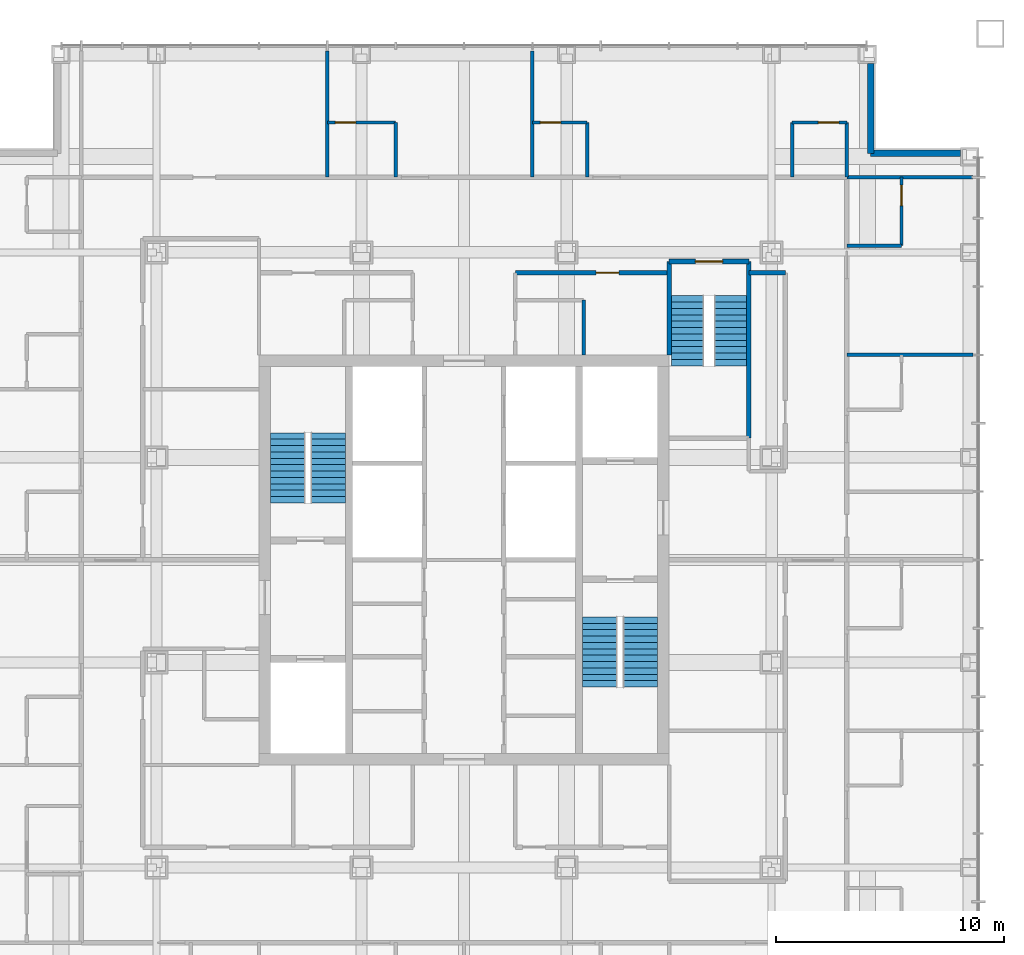
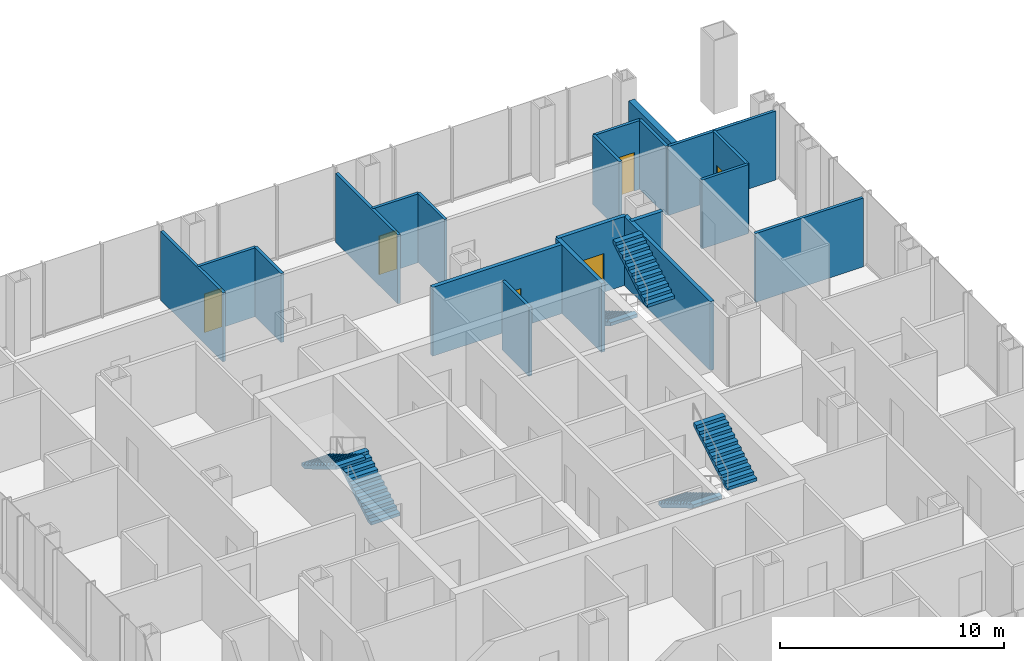
# One storey, part 10 of 11: 21 walls, 6 doors, 6 stair flights, 6 openings, 3 elements without a shape of their own.
"""IFC4 building model written with IfcOpenShell, lengths in metres."""

from ifc_helpers import new_model, si_unit, direction, frame, frame_2d, origin, place, context, subcontext, project, spatial, polyline, rectangle, outline, extrude, material, layer, layer_set, type_object, element, fill, aggregate, save


model = new_model("IFC4")

# Units and contexts
model_context = context("Model", 3, precision=1e-05, world=origin(), true_north=direction((0.0, 1.0)))
body_context = subcontext(model_context, "Body", "Model", "MODEL_VIEW")
ifc_project = project(units=[si_unit("LENGTHUNIT", "METRE"), si_unit("AREAUNIT", "SQUARE_METRE"), si_unit("VOLUMEUNIT", "CUBIC_METRE"), si_unit("PLANEANGLEUNIT", "RADIAN"), si_unit("MASSUNIT", "GRAM", prefix="KILO")], contexts=[model_context])

# Site, building, storey
site_placement = place(None, origin())
site = spatial("IfcSite", under=ifc_project, at=site_placement, CompositionType="ELEMENT")
building_placement = place(site_placement, origin())
building = spatial("IfcBuilding", under=site, at=building_placement, Name="Malebo Sky Hospital", CompositionType="ELEMENT")
storey_placement = place(building_placement, frame((0.0, 0.0, 213.0)))
storey = spatial("IfcBuildingStorey", under=building, at=storey_placement, Name="L51", CompositionType="ELEMENT", Elevation=213.0)

# Wall, opening, door
ifc_material_1 = material(Name="Gypsum board on steel studs", Category="steel")
ifc_layer_1 = layer(ifc_material_1, 0.199951171875)
ifc_layer_set_1 = layer_set([ifc_layer_1], Name="CORRIDOR WALL 200")
wall_type_1 = type_object("IfcWallType", Name="CORRIDOR WALL 200", PredefinedType="PARTITIONING", material=ifc_layer_set_1)
wall_1_placement = place(storey_placement, frame((62.25, 74.60009765625, 0.0), z_axis=(0.0, 0.0, 1.0), x_axis=(1.0, 0.0, 0.0)))
wall_1 = element("IfcWall", 1, at=wall_1_placement, inside=storey, type_object=wall_type_1, Name="Corridor Wall 200 NCI2", PredefinedType="PARTITIONING", context=body_context, shape_type="SweptSolid", body=[
    extrude(rectangle(XDim=6.75, YDim=0.199951171875, at=frame_2d((3.375, 0.0))), origin(), (0.0, 0.0, 1.0), 3.75),
])
opening_1_placement = place(wall_1_placement, frame((3.550048828125, 0.0, 0.0)))
opening_1 = element("IfcOpeningElement", 2, at=opening_1_placement, cuts=wall_1, Name="Opening D03", PredefinedType="OPENING", context=body_context, shape_type="SweptSolid", body=[
    extrude(rectangle(XDim=1.0, YDim=2.10009765625, at=frame_2d((0.5, 1.050048828125))), frame((0.0, 0.10986328125, 0.0), z_axis=(0.0, -1.0, 0.0), x_axis=(1.0, 0.0, 0.0)), (0.0, 0.0, 1.0), 0.219970703125),
])
ifc_material_2 = material(Name="Hardwood-faced door leaf in steel frame", Category="steel")
door_type_1 = type_object("IfcDoorType", Name="ROOM DOOR 1000", OperationType="SINGLE_SWING_LEFT", PredefinedType="DOOR", material=ifc_material_2)
door_1_placement = place(opening_1_placement, origin())
door_1 = element("IfcDoor", 3, at=door_1_placement, inside=storey, type_object=door_type_1, Name="Ward office door", OperationType="SINGLE_SWING_RIGHT", OverallHeight=2.10009765625, OverallWidth=1.0, PredefinedType="DOOR", context=body_context, shape_type="SweptSolid", body=[
    extrude(rectangle(XDim=1.0, YDim=2.10009765625, at=frame_2d((0.5, 1.050048828125))), frame((0.0, 0.02490234375, 0.0), z_axis=(0.0, -1.0, 0.0), x_axis=(1.0, 0.0, 0.0)), (0.0, 0.0, 1.0), 0.050048828125),
])
fill(opening_1, door_1)

# Walls
wall_2_placement = place(storey_placement, frame((72.5, 74.60009765625, 0.0), z_axis=(0.0, 0.0, 1.0), x_axis=(1.0, 0.0, 0.0)))
element("IfcWall", 4, at=wall_2_placement, inside=storey, type_object=wall_type_1, Name="Corridor Wall 200 NCI2/2", PredefinedType="PARTITIONING", context=body_context, shape_type="SweptSolid", body=[
    extrude(rectangle(XDim=1.60009765625, YDim=0.199951171875, at=frame_2d((0.800048828125, 0.0))), origin(), (0.0, 0.0, 1.0), 3.75),
])
ifc_material_3 = material(Name="Anodised aluminium rainscreen on steel framing", Category="steel")
ifc_layer_2 = layer(ifc_material_3, 0.300048828125)
ifc_layer_set_2 = layer_set([ifc_layer_2], Name="NOTCH RAINSCREEN WALL 300")
wall_type_2 = type_object("IfcWallType", Name="NOTCH RAINSCREEN WALL 300", PredefinedType="ELEMENTEDWALL", material=ifc_layer_set_2)
for number, where, z_axis, x_axis, name in (
    (5, (77.85009765625, 83.800048828125, 0.0), (0.0, 0.0, 1.0), (0.0, -1.0, 0.0), "Notch rainscreen wall N1 L51"),
    (6, (77.85009765625, 79.85009765625, 0.0), (0.0, 0.0, 1.0), (1.0, 0.0, 0.0), "Notch rainscreen wall N2 L51"),
):
    element("IfcWall", number, at=place(storey_placement, frame(where, z_axis=z_axis, x_axis=x_axis)), inside=storey, type_object=wall_type_2, Name=name, PredefinedType="ELEMENTEDWALL", context=body_context, shape_type="SweptSolid", body=[
        extrude(rectangle(XDim=3.949951171875, YDim=0.300048828125, at=frame_2d((1.97509765625, 0.0))), origin(), (0.0, 0.0, 1.0), 2.85009765625),
    ])
ifc_layer_3 = layer(ifc_material_1, 0.14990234375)
ifc_layer_set_3 = layer_set([ifc_layer_3], Name="PARTITION 150")
wall_type_3 = type_object("IfcWallType", Name="PARTITION 150", PredefinedType="PARTITIONING", material=ifc_layer_set_3)
for number, where, z_axis, x_axis, name in (
    (7, (54.0, 78.800048828125, 0.0), (0.0, 0.0, 1.0), (0.0, 1.0, 0.0), "Partition 150 NP-6.0"),
    (8, (63.0, 78.800048828125, 0.0), (0.0, 0.0, 1.0), (0.0, 1.0, 0.0), "Partition 150 NP+3.0"),
):
    element("IfcWall", number, at=place(storey_placement, frame(where, z_axis=z_axis, x_axis=x_axis)), inside=storey, type_object=wall_type_3, Name=name, PredefinedType="PARTITIONING", context=body_context, shape_type="SweptSolid", body=[
        extrude(rectangle(XDim=5.550048828125, YDim=0.14990234375, at=frame_2d((2.77490234375, 0.0))), origin(), (0.0, 0.0, 1.0), 3.75),
    ])

# Wall, opening, door
wall_3_placement = place(storey_placement, frame((54.0, 81.199951171875, 0.0), z_axis=(0.0, 0.0, 1.0), x_axis=(1.0, 0.0, 0.0)))
wall_3 = element("IfcWall", 9, at=wall_3_placement, inside=storey, type_object=wall_type_3, Name="Partition 150 NE1F", PredefinedType="PARTITIONING", context=body_context, shape_type="SweptSolid", body=[
    extrude(rectangle(XDim=3.0, YDim=0.14990234375, at=frame_2d((1.5, 0.0))), origin(), (0.0, 0.0, 1.0), 3.75),
])
opening_2_placement = place(wall_3_placement, frame((0.35009765625, 0.0, 0.0)))
opening_2 = element("IfcOpeningElement", 10, at=opening_2_placement, cuts=wall_3, Name="Opening D02", PredefinedType="OPENING", context=body_context, shape_type="SweptSolid", body=[
    extrude(rectangle(XDim=0.89990234375, YDim=2.10009765625, at=frame_2d((0.449951171875, 1.050048828125))), frame((0.0, 0.0849609375, 0.0), z_axis=(0.0, -1.0, 0.0), x_axis=(1.0, 0.0, 0.0)), (0.0, 0.0, 1.0), 0.169921875),
])
door_type_2 = type_object("IfcDoorType", Name="EN-SUITE DOOR 900", OperationType="SINGLE_SWING_LEFT", PredefinedType="DOOR", material=ifc_material_2)
door_2_placement = place(opening_2_placement, origin())
door_2 = element("IfcDoor", 11, at=door_2_placement, inside=storey, type_object=door_type_2, Name="En-suite door", OperationType="SINGLE_SWING_LEFT", OverallHeight=2.10009765625, OverallWidth=0.89990234375, PredefinedType="DOOR", context=body_context, shape_type="SweptSolid", body=[
    extrude(rectangle(XDim=0.89990234375, YDim=2.10009765625, at=frame_2d((0.449951171875, 1.050048828125))), frame((0.0, 0.02490234375, 0.0), z_axis=(0.0, -1.0, 0.0), x_axis=(1.0, 0.0, 0.0)), (0.0, 0.0, 1.0), 0.050048828125),
])
fill(opening_2, door_2)

# Wall
wall_4_placement = place(storey_placement, frame((57.0, 78.800048828125, 0.0), z_axis=(0.0, 0.0, 1.0), x_axis=(0.0, 1.0, 0.0)))
element("IfcWall", 12, at=wall_4_placement, inside=storey, type_object=wall_type_3, Name="Partition 150 NE1S", PredefinedType="PARTITIONING", context=body_context, shape_type="SweptSolid", body=[
    extrude(rectangle(XDim=2.39990234375, YDim=0.14990234375, at=frame_2d((1.199951171875, 0.0))), origin(), (0.0, 0.0, 1.0), 3.75),
])

# Wall, opening, door
wall_5_placement = place(storey_placement, frame((63.0, 81.199951171875, 0.0), z_axis=(0.0, 0.0, 1.0), x_axis=(1.0, 0.0, 0.0)))
wall_5 = element("IfcWall", 13, at=wall_5_placement, inside=storey, type_object=wall_type_3, Name="Partition 150 NE2F", PredefinedType="PARTITIONING", context=body_context, shape_type="SweptSolid", body=[
    extrude(rectangle(XDim=2.39990234375, YDim=0.14990234375, at=frame_2d((1.199951171875, 0.0))), origin(), (0.0, 0.0, 1.0), 3.75),
])
opening_3_placement = place(wall_5_placement, frame((0.35009765625, 0.0, 0.0)))
opening_3 = element("IfcOpeningElement", 14, at=opening_3_placement, cuts=wall_5, Name="Opening D02", PredefinedType="OPENING", context=body_context, shape_type="SweptSolid", body=[
    extrude(rectangle(XDim=0.89990234375, YDim=2.10009765625, at=frame_2d((0.449951171875, 1.050048828125))), frame((0.0, 0.0849609375, 0.0), z_axis=(0.0, -1.0, 0.0), x_axis=(1.0, 0.0, 0.0)), (0.0, 0.0, 1.0), 0.169921875),
])
door_3_placement = place(opening_3_placement, origin())
door_3 = element("IfcDoor", 15, at=door_3_placement, inside=storey, type_object=door_type_2, Name="En-suite door", OperationType="SINGLE_SWING_LEFT", OverallHeight=2.10009765625, OverallWidth=0.89990234375, PredefinedType="DOOR", context=body_context, shape_type="SweptSolid", body=[
    extrude(rectangle(XDim=0.89990234375, YDim=2.10009765625, at=frame_2d((0.449951171875, 1.050048828125))), frame((0.0, 0.02490234375, 0.0), z_axis=(0.0, -1.0, 0.0), x_axis=(1.0, 0.0, 0.0)), (0.0, 0.0, 1.0), 0.050048828125),
])
fill(opening_3, door_3)

# Wall
wall_6_placement = place(storey_placement, frame((65.39990234375, 78.800048828125, 0.0), z_axis=(0.0, 0.0, 1.0), x_axis=(0.0, 1.0, 0.0)))
element("IfcWall", 16, at=wall_6_placement, inside=storey, type_object=wall_type_3, Name="Partition 150 NE2S", PredefinedType="PARTITIONING", context=body_context, shape_type="SweptSolid", body=[
    extrude(rectangle(XDim=2.39990234375, YDim=0.14990234375, at=frame_2d((1.199951171875, 0.0))), origin(), (0.0, 0.0, 1.0), 3.75),
])

# Wall, opening, door
wall_7_placement = place(storey_placement, frame((74.39990234375, 81.199951171875, 0.0), z_axis=(0.0, 0.0, 1.0), x_axis=(1.0, 0.0, 0.0)))
wall_7 = element("IfcWall", 17, at=wall_7_placement, inside=storey, type_object=wall_type_3, Name="Partition 150 NG2F", PredefinedType="PARTITIONING", context=body_context, shape_type="SweptSolid", body=[
    extrude(rectangle(XDim=2.400146484375, YDim=0.14990234375, at=frame_2d((1.2001953125, 0.0))), origin(), (0.0, 0.0, 1.0), 3.75),
])
opening_4_placement = place(wall_7_placement, frame((1.14990234375, 0.0, 0.0)))
opening_4 = element("IfcOpeningElement", 18, at=opening_4_placement, cuts=wall_7, Name="Opening D02", PredefinedType="OPENING", context=body_context, shape_type="SweptSolid", body=[
    extrude(rectangle(XDim=0.89990234375, YDim=2.10009765625, at=frame_2d((0.449951171875, 1.050048828125))), frame((0.0, 0.0849609375, 0.0), z_axis=(0.0, -1.0, 0.0), x_axis=(1.0, 0.0, 0.0)), (0.0, 0.0, 1.0), 0.169921875),
])
door_4_placement = place(opening_4_placement, origin())
door_4 = element("IfcDoor", 19, at=door_4_placement, inside=storey, type_object=door_type_2, Name="En-suite door", OperationType="SINGLE_SWING_RIGHT", OverallHeight=2.10009765625, OverallWidth=0.89990234375, PredefinedType="DOOR", context=body_context, shape_type="SweptSolid", body=[
    extrude(rectangle(XDim=0.89990234375, YDim=2.10009765625, at=frame_2d((0.449951171875, 1.050048828125))), frame((0.0, 0.02490234375, 0.0), z_axis=(0.0, -1.0, 0.0), x_axis=(1.0, 0.0, 0.0)), (0.0, 0.0, 1.0), 0.050048828125),
])
fill(opening_4, door_4)

# Walls
for number, where, z_axis, x_axis, name in (
    (20, (74.39990234375, 78.800048828125, 0.0), (0.0, 0.0, 1.0), (0.0, 1.0, 0.0), "Partition 150 NG2S"),
    (21, (76.800048828125, 78.800048828125, 0.0), (0.0, 0.0, 1.0), (0.0, 1.0, 0.0), "Partition 150 NEZ"),
    (22, (65.25, 71.0, 0.0), (0.0, 0.0, 1.0), (0.0, 1.0, 0.0), "Partition 150 NSY1"),
):
    element("IfcWall", number, at=place(storey_placement, frame(where, z_axis=z_axis, x_axis=x_axis)), inside=storey, type_object=wall_type_3, Name=name, PredefinedType="PARTITIONING", context=body_context, shape_type="SweptSolid", body=[
        extrude(rectangle(XDim=2.39990234375, YDim=0.14990234375, at=frame_2d((1.199951171875, 0.0))), origin(), (0.0, 0.0, 1.0), 3.75),
    ])
for number, where, z_axis, x_axis, name in (
    (23, (76.800048828125, 71.0, 0.0), (0.0, 0.0, 1.0), (1.0, 0.0, 0.0), "Partition 150 EP-9.0"),
    (24, (76.800048828125, 78.800048828125, 0.0), (0.0, 0.0, 1.0), (1.0, 0.0, 0.0), "Partition 150 EP0"),
):
    element("IfcWall", number, at=place(storey_placement, frame(where, z_axis=z_axis, x_axis=x_axis)), inside=storey, type_object=wall_type_3, Name=name, PredefinedType="PARTITIONING", context=body_context, shape_type="SweptSolid", body=[
        extrude(rectangle(XDim=5.550048828125, YDim=0.14990234375, at=frame_2d((2.77490234375, 0.0))), origin(), (0.0, 0.0, 1.0), 3.75),
    ])

# Wall, opening, door
wall_8_placement = place(storey_placement, frame((79.199951171875, 78.800048828125, 0.0), z_axis=(0.0, 0.0, 1.0), x_axis=(0.0, -1.0, 0.0)))
wall_8 = element("IfcWall", 25, at=wall_8_placement, inside=storey, type_object=wall_type_3, Name="Partition 150 EE0F", PredefinedType="PARTITIONING", context=body_context, shape_type="SweptSolid", body=[
    extrude(rectangle(XDim=3.0, YDim=0.14990234375, at=frame_2d((1.5, 0.0))), origin(), (0.0, 0.0, 1.0), 3.75),
])
opening_5_placement = place(wall_8_placement, frame((0.35009765625, 0.0, 0.0)))
opening_5 = element("IfcOpeningElement", 26, at=opening_5_placement, cuts=wall_8, Name="Opening D02", PredefinedType="OPENING", context=body_context, shape_type="SweptSolid", body=[
    extrude(rectangle(XDim=0.89990234375, YDim=2.10009765625, at=frame_2d((0.449951171875, 1.050048828125))), frame((0.0, 0.0849609375, 0.0), z_axis=(0.0, -1.0, 0.0), x_axis=(1.0, 0.0, 0.0)), (0.0, 0.0, 1.0), 0.169921875),
])
door_5_placement = place(opening_5_placement, origin())
door_5 = element("IfcDoor", 27, at=door_5_placement, inside=storey, type_object=door_type_2, Name="En-suite door", OperationType="SINGLE_SWING_LEFT", OverallHeight=2.10009765625, OverallWidth=0.89990234375, PredefinedType="DOOR", context=body_context, shape_type="SweptSolid", body=[
    extrude(rectangle(XDim=0.89990234375, YDim=2.10009765625, at=frame_2d((0.449951171875, 1.050048828125))), frame((0.0, 0.02490234375, 0.0), z_axis=(0.0, -1.0, 0.0), x_axis=(1.0, 0.0, 0.0)), (0.0, 0.0, 1.0), 0.050048828125),
])
fill(opening_5, door_5)

# Walls
wall_9_placement = place(storey_placement, frame((76.800048828125, 75.800048828125, 0.0), z_axis=(0.0, 0.0, 1.0), x_axis=(1.0, 0.0, 0.0)))
element("IfcWall", 28, at=wall_9_placement, inside=storey, type_object=wall_type_3, Name="Partition 150 EE0S", PredefinedType="PARTITIONING", context=body_context, shape_type="SweptSolid", body=[
    extrude(rectangle(XDim=2.39990234375, YDim=0.14990234375, at=frame_2d((1.199951171875, 0.0))), origin(), (0.0, 0.0, 1.0), 3.75),
])
ifc_material_4 = material(Name="Concrete C40/50", Category="concrete")
ifc_layer_4 = layer(ifc_material_4, 0.199951171875)
ifc_layer_set_4 = layer_set([ifc_layer_4], Name="STAIR ENCLOSURE WALL 200")
wall_type_4 = type_object("IfcWallType", Name="STAIR ENCLOSURE WALL 200", PredefinedType="SOLIDWALL", material=ifc_layer_set_4)
wall_10_placement = place(storey_placement, frame((69.0, 71.0, 0.0), z_axis=(0.0, 0.0, 1.0), x_axis=(0.0, 1.0, 0.0)))
element("IfcWall", 29, at=wall_10_placement, inside=storey, type_object=wall_type_4, Name="Stair Enclosure Wall 200 ST3W", PredefinedType="SOLIDWALL", context=body_context, shape_type="SweptSolid", body=[
    extrude(rectangle(XDim=4.10009765625, YDim=0.199951171875, at=frame_2d((2.050048828125, 0.0))), origin(), (0.0, 0.0, 1.0), 3.75),
])
wall_11_placement = place(storey_placement, frame((72.5, 67.35009765625, 0.0), z_axis=(0.0, 0.0, 1.0), x_axis=(0.0, 1.0, 0.0)))
element("IfcWall", 30, at=wall_11_placement, inside=storey, type_object=wall_type_4, Name="Stair Enclosure Wall 200 ST3E", PredefinedType="SOLIDWALL", context=body_context, shape_type="SweptSolid", body=[
    extrude(rectangle(XDim=7.75, YDim=0.199951171875, at=frame_2d((3.875, 0.0))), origin(), (0.0, 0.0, 1.0), 3.75),
])

# Wall, opening, door
wall_12_placement = place(storey_placement, frame((69.0, 75.10009765625, 0.0), z_axis=(0.0, 0.0, 1.0), x_axis=(1.0, 0.0, 0.0)))
wall_12 = element("IfcWall", 31, at=wall_12_placement, inside=storey, type_object=wall_type_4, Name="Stair Enclosure Wall 200 ST3N", PredefinedType="SOLIDWALL", context=body_context, shape_type="SweptSolid", body=[
    extrude(rectangle(XDim=3.5, YDim=0.199951171875, at=frame_2d((1.75, 0.0))), origin(), (0.0, 0.0, 1.0), 3.75),
])
opening_6_placement = place(wall_12_placement, frame((1.14990234375, 0.0, 0.0)))
opening_6 = element("IfcOpeningElement", 32, at=opening_6_placement, cuts=wall_12, Name="Opening D08", PredefinedType="OPENING", context=body_context, shape_type="SweptSolid", body=[
    extrude(rectangle(XDim=1.199951171875, YDim=2.10009765625, at=frame_2d((0.60009765625, 1.050048828125))), frame((0.0, 0.10986328125, 0.0), z_axis=(0.0, -1.0, 0.0), x_axis=(1.0, 0.0, 0.0)), (0.0, 0.0, 1.0), 0.219970703125),
])
door_type_3 = type_object("IfcDoorType", Name="STAIR DOOR 1200", OperationType="SINGLE_SWING_LEFT", PredefinedType="DOOR", material=ifc_material_2)
door_6_placement = place(opening_6_placement, origin())
door_6 = element("IfcDoor", 33, at=door_6_placement, inside=storey, type_object=door_type_3, Name="Stair S3 door", OperationType="SINGLE_SWING_LEFT", OverallHeight=2.10009765625, OverallWidth=1.199951171875, PredefinedType="DOOR", context=body_context, shape_type="SweptSolid", body=[
    extrude(rectangle(XDim=1.199951171875, YDim=2.10009765625, at=frame_2d((0.60009765625, 1.050048828125))), frame((0.0, 0.02490234375, 0.0), z_axis=(0.0, -1.0, 0.0), x_axis=(1.0, 0.0, 0.0)), (0.0, 0.0, 1.0), 0.050048828125),
])
fill(opening_6, door_6)

# Stair, stair flights
stair_type_1 = type_object("IfcStairType", Name="HALF-TURN STAIR 1400 R167", PredefinedType="HALF_TURN_STAIR", material=ifc_material_4)
stair_1_placement = place(storey_placement, origin())
stair_1 = element("IfcStair", 34, at=stair_1_placement, inside=storey, type_object=stair_type_1, Name="Stair S3 L51 type ST1B", PredefinedType="HALF_TURN_STAIR")
stair_flight_type_1 = type_object("IfcStairFlightType", Name="STAIR FLIGHT 1400 R167", PredefinedType="STRAIGHT", material=ifc_material_4)
stair_flight_1_placement = place(storey_placement, frame((69.800048828125, 73.60009765625, 0.0), z_axis=(0.0, 0.0, 1.0), x_axis=(0.0, -1.0, 0.0)))
stair_flight_1 = element("IfcStairFlight", 35, at=stair_flight_1_placement, type_object=stair_flight_type_1, Name="S3 flight 1 type SF1B", NumberOfRisers=12, NumberOfTreads=11, PredefinedType="STRAIGHT", RiserHeight=0.166666667, TreadLength=0.28, context=body_context, shape_type="SweptSolid", body=[
    extrude(outline(polyline([(0.0, 0.0), (0.0, 0.166748046875), (0.280029296875, 0.166748046875), (0.280029296875, 0.333251953125), (0.56005859375, 0.333251953125), (0.56005859375, 0.5), (0.840087890625, 0.5), (0.840087890625, 0.666748046875), (1.1201171875, 0.666748046875), (1.1201171875, 0.833251953125), (1.39990234375, 0.833251953125), (1.39990234375, 1.0), (1.679931640625, 1.0), (1.679931640625, 1.166748046875), (1.9599609375, 1.166748046875), (1.9599609375, 1.333251953125), (2.239990234375, 1.333251953125), (2.239990234375, 1.5), (2.52001953125, 1.5), (2.52001953125, 1.666748046875), (2.800048828125, 1.666748046875), (2.800048828125, 1.833251953125), (3.080078125, 1.833251953125), (3.080078125, 2.0), (3.080078125, 1.658935546875), (0.29296875, 0.0), (0.0, 0.0)])), frame((0.0, 0.699951171875, 0.0), z_axis=(0.0, -1.0, 0.0), x_axis=(1.0, 0.0, 0.0)), (0.0, 0.0, 1.0), 1.39990234375),
])
stair_flight_2_placement = place(storey_placement, frame((71.699951171875, 70.52001953125, 2.0), z_axis=(0.0, 0.0, 1.0), x_axis=(0.0, 1.0, 0.0)))
stair_flight_2 = element("IfcStairFlight", 36, at=stair_flight_2_placement, type_object=stair_flight_type_1, Name="S3 flight 2 type SF1B", NumberOfRisers=12, NumberOfTreads=11, PredefinedType="STRAIGHT", RiserHeight=0.166666667, TreadLength=0.28, context=body_context, shape_type="SweptSolid", body=[
    extrude(outline(polyline([(0.0, 0.0), (0.0, 0.166748046875), (0.280029296875, 0.166748046875), (0.280029296875, 0.333251953125), (0.56005859375, 0.333251953125), (0.56005859375, 0.5), (0.840087890625, 0.5), (0.840087890625, 0.666748046875), (1.1201171875, 0.666748046875), (1.1201171875, 0.833251953125), (1.39990234375, 0.833251953125), (1.39990234375, 1.0), (1.679931640625, 1.0), (1.679931640625, 1.166748046875), (1.9599609375, 1.166748046875), (1.9599609375, 1.333251953125), (2.239990234375, 1.333251953125), (2.239990234375, 1.5), (2.52001953125, 1.5), (2.52001953125, 1.666748046875), (2.800048828125, 1.666748046875), (2.800048828125, 1.833251953125), (3.080078125, 1.833251953125), (3.080078125, 2.0), (3.080078125, 1.658935546875), (0.29296875, 0.0), (0.0, 0.0)])), frame((0.0, 0.699951171875, 0.0), z_axis=(0.0, -1.0, 0.0), x_axis=(1.0, 0.0, 0.0)), (0.0, 0.0, 1.0), 1.39990234375),
])
aggregate(stair_1, [stair_flight_1, stair_flight_2])

stair_type_2 = type_object("IfcStairType", Name="HALF-TURN STAIR 1500 R167", PredefinedType="HALF_TURN_STAIR", material=ifc_material_4)
stair_2_placement = place(storey_placement, origin())
stair_2 = element("IfcStair", 37, at=stair_2_placement, inside=storey, type_object=stair_type_2, Name="Stair S1 L51 type ST1", PredefinedType="HALF_TURN_STAIR")
stair_flight_type_2 = type_object("IfcStairFlightType", Name="STAIR FLIGHT 1500 R167", PredefinedType="STRAIGHT", material=ifc_material_4)
stair_flight_3_placement = place(storey_placement, frame((54.050048828125, 64.5, 0.0), z_axis=(0.0, 0.0, 1.0), x_axis=(0.0, 1.0, 0.0)))
stair_flight_3 = element("IfcStairFlight", 38, at=stair_flight_3_placement, type_object=stair_flight_type_2, Name="S1 flight 1 type SF1", NumberOfRisers=12, NumberOfTreads=11, PredefinedType="STRAIGHT", RiserHeight=0.166666667, TreadLength=0.28, context=body_context, shape_type="SweptSolid", body=[
    extrude(outline(polyline([(0.0, 0.0), (0.0, 0.166748046875), (0.280029296875, 0.166748046875), (0.280029296875, 0.333251953125), (0.56005859375, 0.333251953125), (0.56005859375, 0.5), (0.840087890625, 0.5), (0.840087890625, 0.666748046875), (1.1201171875, 0.666748046875), (1.1201171875, 0.833251953125), (1.39990234375, 0.833251953125), (1.39990234375, 1.0), (1.679931640625, 1.0), (1.679931640625, 1.166748046875), (1.9599609375, 1.166748046875), (1.9599609375, 1.333251953125), (2.239990234375, 1.333251953125), (2.239990234375, 1.5), (2.52001953125, 1.5), (2.52001953125, 1.666748046875), (2.800048828125, 1.666748046875), (2.800048828125, 1.833251953125), (3.080078125, 1.833251953125), (3.080078125, 2.0), (3.080078125, 1.658935546875), (0.29296875, 0.0), (0.0, 0.0)])), frame((0.0, 0.75, 0.0), z_axis=(0.0, -1.0, 0.0), x_axis=(1.0, 0.0, 0.0)), (0.0, 0.0, 1.0), 1.5),
])
stair_flight_4_placement = place(storey_placement, frame((52.25, 67.580078125, 2.0), z_axis=(0.0, 0.0, 1.0), x_axis=(0.0, -1.0, 0.0)))
stair_flight_4 = element("IfcStairFlight", 39, at=stair_flight_4_placement, type_object=stair_flight_type_2, Name="S1 flight 2 type SF1", NumberOfRisers=12, NumberOfTreads=11, PredefinedType="STRAIGHT", RiserHeight=0.166666667, TreadLength=0.28, context=body_context, shape_type="SweptSolid", body=[
    extrude(outline(polyline([(0.0, 0.0), (0.0, 0.166748046875), (0.280029296875, 0.166748046875), (0.280029296875, 0.333251953125), (0.56005859375, 0.333251953125), (0.56005859375, 0.5), (0.840087890625, 0.5), (0.840087890625, 0.666748046875), (1.1201171875, 0.666748046875), (1.1201171875, 0.833251953125), (1.39990234375, 0.833251953125), (1.39990234375, 1.0), (1.679931640625, 1.0), (1.679931640625, 1.166748046875), (1.9599609375, 1.166748046875), (1.9599609375, 1.333251953125), (2.239990234375, 1.333251953125), (2.239990234375, 1.5), (2.52001953125, 1.5), (2.52001953125, 1.666748046875), (2.800048828125, 1.666748046875), (2.800048828125, 1.833251953125), (3.080078125, 1.833251953125), (3.080078125, 2.0), (3.080078125, 1.658935546875), (0.29296875, 0.0), (0.0, 0.0)])), frame((0.0, 0.75, 0.0), z_axis=(0.0, -1.0, 0.0), x_axis=(1.0, 0.0, 0.0)), (0.0, 0.0, 1.0), 1.5),
])
aggregate(stair_2, [stair_flight_3, stair_flight_4])

stair_3_placement = place(storey_placement, origin())
stair_3 = element("IfcStair", 40, at=stair_3_placement, inside=storey, type_object=stair_type_2, Name="Stair S2 L51 type ST1", PredefinedType="HALF_TURN_STAIR")
stair_flight_5_placement = place(storey_placement, frame((65.949951171875, 59.5, 0.0), z_axis=(0.0, 0.0, 1.0), x_axis=(0.0, -1.0, 0.0)))
stair_flight_5 = element("IfcStairFlight", 41, at=stair_flight_5_placement, type_object=stair_flight_type_2, Name="S2 flight 1 type SF1", NumberOfRisers=12, NumberOfTreads=11, PredefinedType="STRAIGHT", RiserHeight=0.166666667, TreadLength=0.28, context=body_context, shape_type="SweptSolid", body=[
    extrude(outline(polyline([(0.0, 0.0), (0.0, 0.166748046875), (0.280029296875, 0.166748046875), (0.280029296875, 0.333251953125), (0.56005859375, 0.333251953125), (0.56005859375, 0.5), (0.840087890625, 0.5), (0.840087890625, 0.666748046875), (1.1201171875, 0.666748046875), (1.1201171875, 0.833251953125), (1.39990234375, 0.833251953125), (1.39990234375, 1.0), (1.679931640625, 1.0), (1.679931640625, 1.166748046875), (1.9599609375, 1.166748046875), (1.9599609375, 1.333251953125), (2.239990234375, 1.333251953125), (2.239990234375, 1.5), (2.52001953125, 1.5), (2.52001953125, 1.666748046875), (2.800048828125, 1.666748046875), (2.800048828125, 1.833251953125), (3.080078125, 1.833251953125), (3.080078125, 2.0), (3.080078125, 1.658935546875), (0.29296875, 0.0), (0.0, 0.0)])), frame((0.0, 0.75, 0.0), z_axis=(0.0, -1.0, 0.0), x_axis=(1.0, 0.0, 0.0)), (0.0, 0.0, 1.0), 1.5),
])
stair_flight_6_placement = place(storey_placement, frame((67.75, 56.419921875, 2.0), z_axis=(0.0, 0.0, 1.0), x_axis=(0.0, 1.0, 0.0)))
stair_flight_6 = element("IfcStairFlight", 42, at=stair_flight_6_placement, type_object=stair_flight_type_2, Name="S2 flight 2 type SF1", NumberOfRisers=12, NumberOfTreads=11, PredefinedType="STRAIGHT", RiserHeight=0.166666667, TreadLength=0.28, context=body_context, shape_type="SweptSolid", body=[
    extrude(outline(polyline([(0.0, 0.0), (0.0, 0.166748046875), (0.280029296875, 0.166748046875), (0.280029296875, 0.333251953125), (0.56005859375, 0.333251953125), (0.56005859375, 0.5), (0.840087890625, 0.5), (0.840087890625, 0.666748046875), (1.1201171875, 0.666748046875), (1.1201171875, 0.833251953125), (1.39990234375, 0.833251953125), (1.39990234375, 1.0), (1.679931640625, 1.0), (1.679931640625, 1.166748046875), (1.9599609375, 1.166748046875), (1.9599609375, 1.333251953125), (2.239990234375, 1.333251953125), (2.239990234375, 1.5), (2.52001953125, 1.5), (2.52001953125, 1.666748046875), (2.800048828125, 1.666748046875), (2.800048828125, 1.833251953125), (3.080078125, 1.833251953125), (3.080078125, 2.0), (3.080078125, 1.658935546875), (0.29296875, 0.0), (0.0, 0.0)])), frame((0.0, 0.75, 0.0), z_axis=(0.0, -1.0, 0.0), x_axis=(1.0, 0.0, 0.0)), (0.0, 0.0, 1.0), 1.5),
])
aggregate(stair_3, [stair_flight_5, stair_flight_6])

save(model, "model.ifc")
